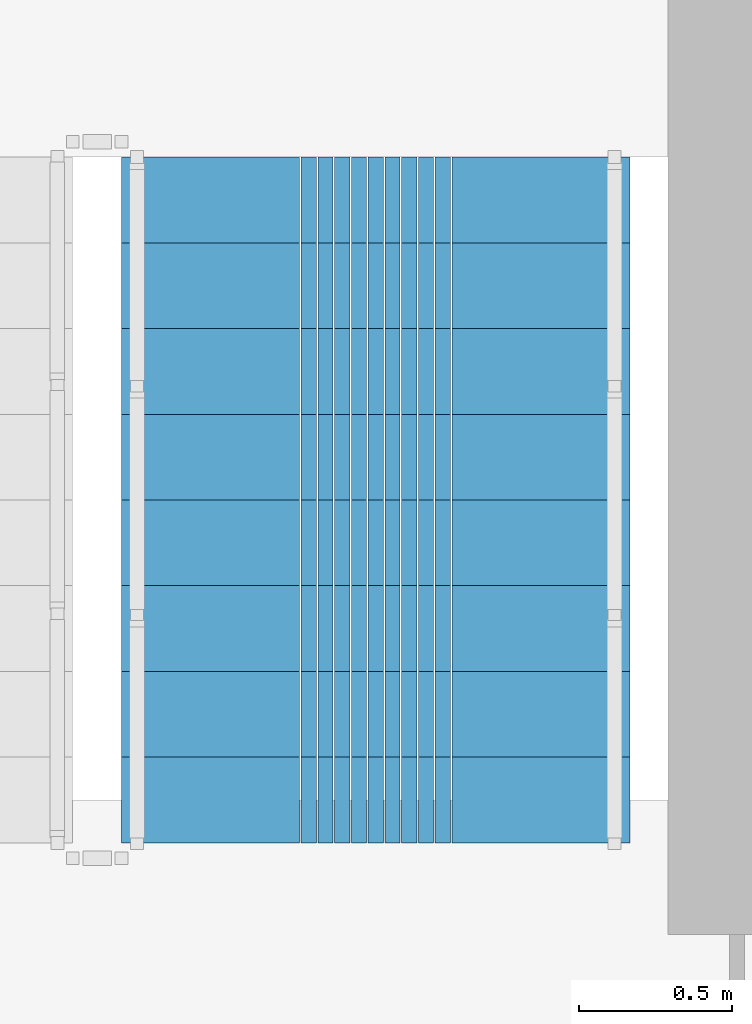
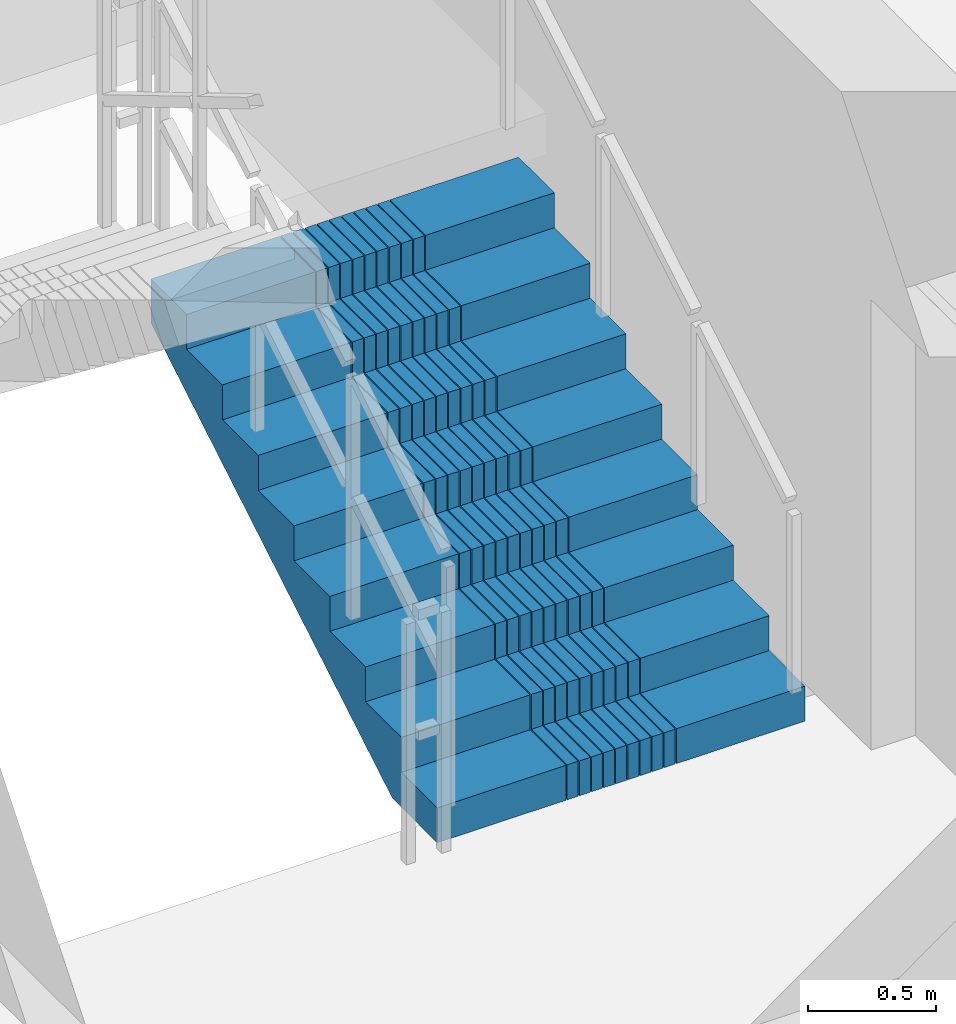
# One storey, part 19 of 24: 1 stair flight, 1 element without a shape of its own.
"""IFC4 building model written with IfcOpenShell, lengths in metres."""

from ifc_helpers import new_model, si_unit, direction, frame, origin, place, context, subcontext, project, spatial, polyline, outline, extrude, material, type_object, element, aggregate, save


model = new_model("IFC4")

# Units and contexts
model_context = context("Model", 3, precision=1e-05, world=origin(), true_north=direction((0.0, 1.0)))
body_context = subcontext(model_context, "Body", "Model", "MODEL_VIEW")
ifc_project = project(units=[si_unit("LENGTHUNIT", "METRE"), si_unit("AREAUNIT", "SQUARE_METRE"), si_unit("VOLUMEUNIT", "CUBIC_METRE"), si_unit("PLANEANGLEUNIT", "RADIAN"), si_unit("MASSUNIT", "GRAM", prefix="KILO")], contexts=[model_context])

# Site, building, storey
site_placement = place(None, origin())
site = spatial("IfcSite", under=ifc_project, at=site_placement, CompositionType="ELEMENT")
building_placement = place(site_placement, origin())
building = spatial("IfcBuilding", under=site, at=building_placement, Name="Saelheon Loggia Tower", CompositionType="ELEMENT")
storey_placement = place(building_placement, frame((0.0, 0.0, 166.0)))
storey = spatial("IfcBuildingStorey", under=building, at=storey_placement, Name="L52", CompositionType="ELEMENT", Elevation=166.0)

# Stair, stair flight
ifc_material = material(Name="Concrete C40/50", Category="concrete")
stair_type = type_object("IfcStairType", Name="Stair_Escape_Core", PredefinedType="HALF_TURN_STAIR", material=ifc_material)
stair_placement = place(storey_placement, origin())
stair = element("IfcStair", 1, at=stair_placement, inside=storey, type_object=stair_type, Name="L52 Special Escape Stair ST2", PredefinedType="HALF_TURN_STAIR")
stair_flight_type = type_object("IfcStairFlightType", Name="StairFlight_Tower_1660", PredefinedType="STRAIGHT", material=ifc_material)
stair_flight_placement = place(storey_placement, frame((43.320068359375, 30.449951171875, 0.0), z_axis=(0.0, 0.0, 1.0), x_axis=(0.0, 1.0, 0.0)))
stair_flight = element("IfcStairFlight", 2, at=stair_flight_placement, type_object=stair_flight_type, Name="ST2 flight 1", NumberOfRisers=9, NumberOfTreads=8, PredefinedType="STRAIGHT", RiserHeight=0.166666667, TreadLength=0.28, context=body_context, shape_type="SweptSolid", body=[
    extrude(outline(polyline([(0.0, 0.0), (0.0, 0.166748046875), (0.280029296875, 0.166748046875), (0.280029296875, 0.333251953125), (0.56005859375, 0.333251953125), (0.56005859375, 0.5), (0.840087890625, 0.5), (0.840087890625, 0.666748046875), (1.1201171875, 0.666748046875), (1.1201171875, 0.833251953125), (1.39990234375, 0.833251953125), (1.39990234375, 1.0), (1.679931640625, 1.0), (1.679931640625, 1.166748046875), (1.9599609375, 1.166748046875), (1.9599609375, 1.333251953125), (2.239990234375, 1.333251953125), (2.239990234375, 1.5), (2.239990234375, 1.1240234375), (0.351806640625, 0.0), (0.0, 0.0)])), frame((0.0, -0.2490234375, 0.0), z_axis=(0.0, -1.0, 0.0), x_axis=(1.0, 0.0, 0.0)), (0.0, 0.0, 1.0), 0.5810546875),
    extrude(outline(polyline([(0.0, 0.0), (0.0, 0.166748046875), (0.280029296875, 0.166748046875), (0.280029296875, 0.333251953125), (0.56005859375, 0.333251953125), (0.56005859375, 0.5), (0.840087890625, 0.5), (0.840087890625, 0.666748046875), (1.1201171875, 0.666748046875), (1.1201171875, 0.833251953125), (1.39990234375, 0.833251953125), (1.39990234375, 1.0), (1.679931640625, 1.0), (1.679931640625, 1.166748046875), (1.9599609375, 1.166748046875), (1.9599609375, 1.333251953125), (2.239990234375, 1.333251953125), (2.239990234375, 1.5), (2.239990234375, 1.1240234375), (0.351806640625, 0.0), (0.0, 0.0)])), frame((0.0, -0.194091796875, 0.0), z_axis=(0.0, -1.0, 0.0), x_axis=(1.0, 0.0, 0.0)), (0.0, 0.0, 1.0), 0.0498046875),
    extrude(outline(polyline([(0.0, 0.0), (0.0, 0.166748046875), (0.280029296875, 0.166748046875), (0.280029296875, 0.333251953125), (0.56005859375, 0.333251953125), (0.56005859375, 0.5), (0.840087890625, 0.5), (0.840087890625, 0.666748046875), (1.1201171875, 0.666748046875), (1.1201171875, 0.833251953125), (1.39990234375, 0.833251953125), (1.39990234375, 1.0), (1.679931640625, 1.0), (1.679931640625, 1.166748046875), (1.9599609375, 1.166748046875), (1.9599609375, 1.333251953125), (2.239990234375, 1.333251953125), (2.239990234375, 1.5), (2.239990234375, 1.1240234375), (0.351806640625, 0.0), (0.0, 0.0)])), frame((0.0, -0.139404296875, 0.0), z_axis=(0.0, -1.0, 0.0), x_axis=(1.0, 0.0, 0.0)), (0.0, 0.0, 1.0), 0.0498046875),
    extrude(outline(polyline([(0.0, 0.0), (0.0, 0.166748046875), (0.280029296875, 0.166748046875), (0.280029296875, 0.333251953125), (0.56005859375, 0.333251953125), (0.56005859375, 0.5), (0.840087890625, 0.5), (0.840087890625, 0.666748046875), (1.1201171875, 0.666748046875), (1.1201171875, 0.833251953125), (1.39990234375, 0.833251953125), (1.39990234375, 1.0), (1.679931640625, 1.0), (1.679931640625, 1.166748046875), (1.9599609375, 1.166748046875), (1.9599609375, 1.333251953125), (2.239990234375, 1.333251953125), (2.239990234375, 1.5), (2.239990234375, 1.1240234375), (0.351806640625, 0.0), (0.0, 0.0)])), frame((0.0, -0.084716796875, 0.0), z_axis=(0.0, -1.0, 0.0), x_axis=(1.0, 0.0, 0.0)), (0.0, 0.0, 1.0), 0.0498046875),
    extrude(outline(polyline([(0.0, 0.0), (0.0, 0.166748046875), (0.280029296875, 0.166748046875), (0.280029296875, 0.333251953125), (0.56005859375, 0.333251953125), (0.56005859375, 0.5), (0.840087890625, 0.5), (0.840087890625, 0.666748046875), (1.1201171875, 0.666748046875), (1.1201171875, 0.833251953125), (1.39990234375, 0.833251953125), (1.39990234375, 1.0), (1.679931640625, 1.0), (1.679931640625, 1.166748046875), (1.9599609375, 1.166748046875), (1.9599609375, 1.333251953125), (2.239990234375, 1.333251953125), (2.239990234375, 1.5), (2.239990234375, 1.1240234375), (0.351806640625, 0.0), (0.0, 0.0)])), frame((0.0, -0.02978515625, 0.0), z_axis=(0.0, -1.0, 0.0), x_axis=(1.0, 0.0, 0.0)), (0.0, 0.0, 1.0), 0.0498046875),
    extrude(outline(polyline([(0.0, 0.0), (0.0, 0.166748046875), (0.280029296875, 0.166748046875), (0.280029296875, 0.333251953125), (0.56005859375, 0.333251953125), (0.56005859375, 0.5), (0.840087890625, 0.5), (0.840087890625, 0.666748046875), (1.1201171875, 0.666748046875), (1.1201171875, 0.833251953125), (1.39990234375, 0.833251953125), (1.39990234375, 1.0), (1.679931640625, 1.0), (1.679931640625, 1.166748046875), (1.9599609375, 1.166748046875), (1.9599609375, 1.333251953125), (2.239990234375, 1.333251953125), (2.239990234375, 1.5), (2.239990234375, 1.1240234375), (0.351806640625, 0.0), (0.0, 0.0)])), frame((0.0, 0.02490234375, 0.0), z_axis=(0.0, -1.0, 0.0), x_axis=(1.0, 0.0, 0.0)), (0.0, 0.0, 1.0), 0.0498046875),
    extrude(outline(polyline([(0.0, 0.0), (0.0, 0.166748046875), (0.280029296875, 0.166748046875), (0.280029296875, 0.333251953125), (0.56005859375, 0.333251953125), (0.56005859375, 0.5), (0.840087890625, 0.5), (0.840087890625, 0.666748046875), (1.1201171875, 0.666748046875), (1.1201171875, 0.833251953125), (1.39990234375, 0.833251953125), (1.39990234375, 1.0), (1.679931640625, 1.0), (1.679931640625, 1.166748046875), (1.9599609375, 1.166748046875), (1.9599609375, 1.333251953125), (2.239990234375, 1.333251953125), (2.239990234375, 1.5), (2.239990234375, 1.1240234375), (0.351806640625, 0.0), (0.0, 0.0)])), frame((0.0, 0.07958984375, 0.0), z_axis=(0.0, -1.0, 0.0), x_axis=(1.0, 0.0, 0.0)), (0.0, 0.0, 1.0), 0.0498046875),
    extrude(outline(polyline([(0.0, 0.0), (0.0, 0.166748046875), (0.280029296875, 0.166748046875), (0.280029296875, 0.333251953125), (0.56005859375, 0.333251953125), (0.56005859375, 0.5), (0.840087890625, 0.5), (0.840087890625, 0.666748046875), (1.1201171875, 0.666748046875), (1.1201171875, 0.833251953125), (1.39990234375, 0.833251953125), (1.39990234375, 1.0), (1.679931640625, 1.0), (1.679931640625, 1.166748046875), (1.9599609375, 1.166748046875), (1.9599609375, 1.333251953125), (2.239990234375, 1.333251953125), (2.239990234375, 1.5), (2.239990234375, 1.1240234375), (0.351806640625, 0.0), (0.0, 0.0)])), frame((0.0, 0.134521484375, 0.0), z_axis=(0.0, -1.0, 0.0), x_axis=(1.0, 0.0, 0.0)), (0.0, 0.0, 1.0), 0.0498046875),
    extrude(outline(polyline([(0.0, 0.0), (0.0, 0.166748046875), (0.280029296875, 0.166748046875), (0.280029296875, 0.333251953125), (0.56005859375, 0.333251953125), (0.56005859375, 0.5), (0.840087890625, 0.5), (0.840087890625, 0.666748046875), (1.1201171875, 0.666748046875), (1.1201171875, 0.833251953125), (1.39990234375, 0.833251953125), (1.39990234375, 1.0), (1.679931640625, 1.0), (1.679931640625, 1.166748046875), (1.9599609375, 1.166748046875), (1.9599609375, 1.333251953125), (2.239990234375, 1.333251953125), (2.239990234375, 1.5), (2.239990234375, 1.1240234375), (0.351806640625, 0.0), (0.0, 0.0)])), frame((0.0, 0.189208984375, 0.0), z_axis=(0.0, -1.0, 0.0), x_axis=(1.0, 0.0, 0.0)), (0.0, 0.0, 1.0), 0.0498046875),
    extrude(outline(polyline([(0.0, 0.0), (0.0, 0.166748046875), (0.280029296875, 0.166748046875), (0.280029296875, 0.333251953125), (0.56005859375, 0.333251953125), (0.56005859375, 0.5), (0.840087890625, 0.5), (0.840087890625, 0.666748046875), (1.1201171875, 0.666748046875), (1.1201171875, 0.833251953125), (1.39990234375, 0.833251953125), (1.39990234375, 1.0), (1.679931640625, 1.0), (1.679931640625, 1.166748046875), (1.9599609375, 1.166748046875), (1.9599609375, 1.333251953125), (2.239990234375, 1.333251953125), (2.239990234375, 1.5), (2.239990234375, 1.1240234375), (0.351806640625, 0.0), (0.0, 0.0)])), frame((0.0, 0.243896484375, 0.0), z_axis=(0.0, -1.0, 0.0), x_axis=(1.0, 0.0, 0.0)), (0.0, 0.0, 1.0), 0.0498046875),
    extrude(outline(polyline([(0.0, 0.0), (0.0, 0.166748046875), (0.280029296875, 0.166748046875), (0.280029296875, 0.333251953125), (0.56005859375, 0.333251953125), (0.56005859375, 0.5), (0.840087890625, 0.5), (0.840087890625, 0.666748046875), (1.1201171875, 0.666748046875), (1.1201171875, 0.833251953125), (1.39990234375, 0.833251953125), (1.39990234375, 1.0), (1.679931640625, 1.0), (1.679931640625, 1.166748046875), (1.9599609375, 1.166748046875), (1.9599609375, 1.333251953125), (2.239990234375, 1.333251953125), (2.239990234375, 1.5), (2.239990234375, 1.1240234375), (0.351806640625, 0.0), (0.0, 0.0)])), frame((0.0, 0.830078125, 0.0), z_axis=(0.0, -1.0, 0.0), x_axis=(1.0, 0.0, 0.0)), (0.0, 0.0, 1.0), 0.5810546875),
])
aggregate(stair, [stair_flight])

save(model, "model.ifc")
